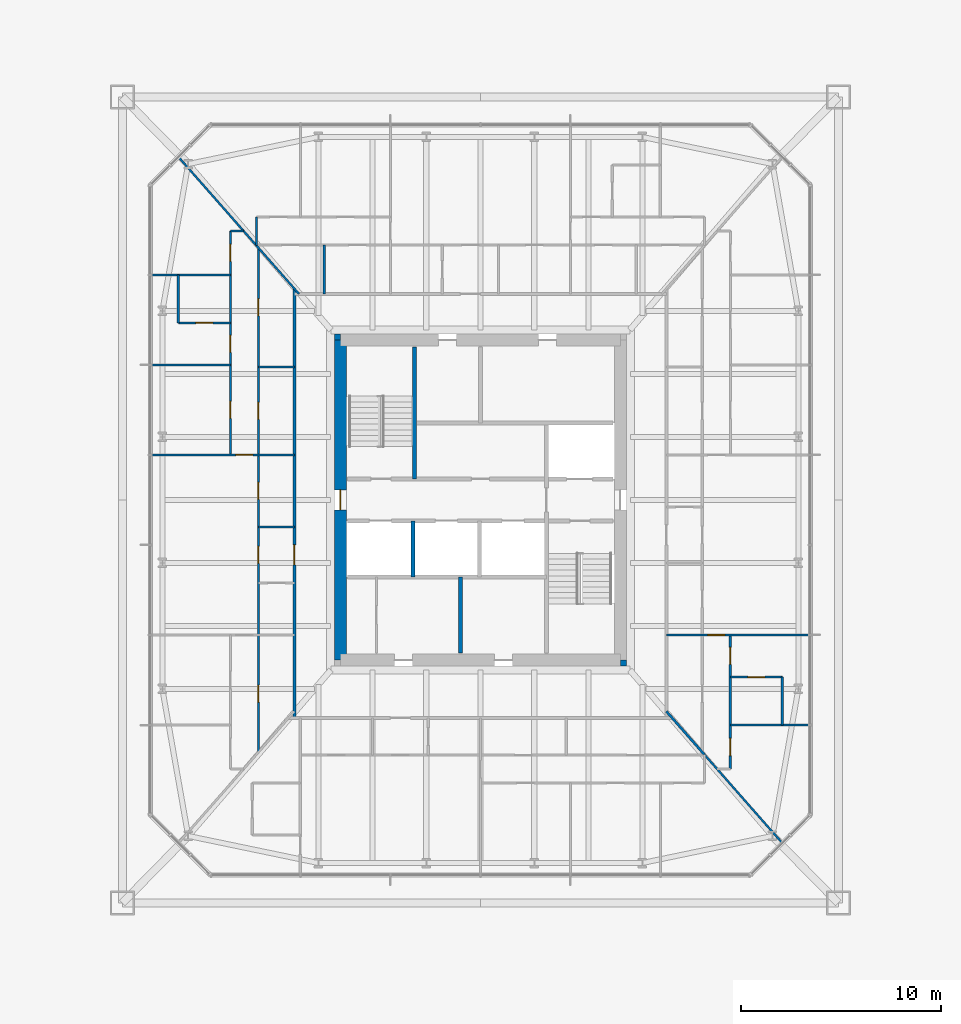
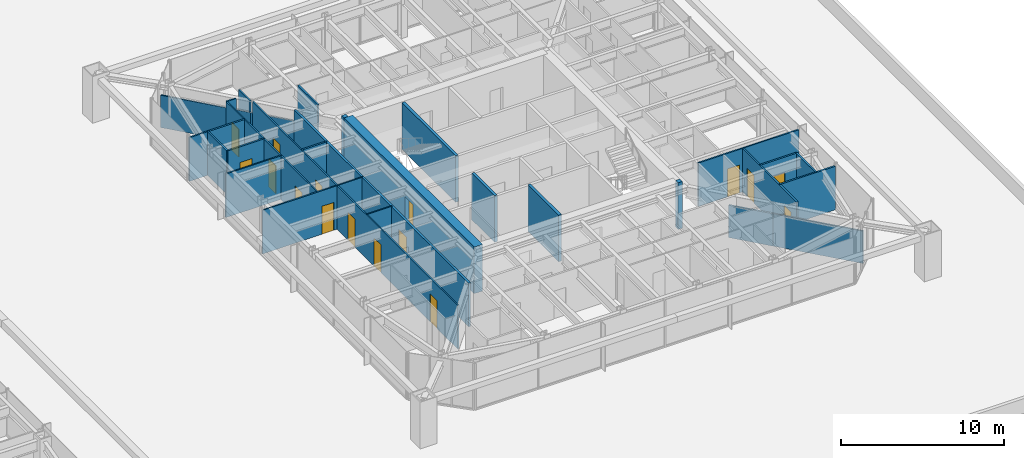
# One storey, part 23 of 31: 28 walls, 16 doors, 16 openings.
"""IFC4 building model written with IfcOpenShell, lengths in metres."""

from ifc_helpers import new_model, si_unit, direction, frame, frame_2d, origin, place, context, subcontext, project, spatial, rectangle, extrude, material, layer, layer_set, type_object, element, fill, save


model = new_model("IFC4")

# Units and contexts
model_context = context("Model", 3, precision=1e-05, world=origin(), true_north=direction((0.0, 1.0)))
body_context = subcontext(model_context, "Body", "Model", "MODEL_VIEW")
ifc_project = project(units=[si_unit("LENGTHUNIT", "METRE"), si_unit("AREAUNIT", "SQUARE_METRE"), si_unit("VOLUMEUNIT", "CUBIC_METRE"), si_unit("PLANEANGLEUNIT", "RADIAN"), si_unit("MASSUNIT", "GRAM", prefix="KILO")], contexts=[model_context])

# Site, building, storey
site_placement = place(None, origin())
site = spatial("IfcSite", under=ifc_project, at=site_placement, CompositionType="ELEMENT")
building_placement = place(site_placement, origin())
building = spatial("IfcBuilding", under=site, at=building_placement, Name="Iwan Alto Co-Living Towers", CompositionType="ELEMENT")
storey_placement = place(building_placement, frame((0.0, 0.0, 15.0)))
storey = spatial("IfcBuildingStorey", under=building, at=storey_placement, Name="L03", CompositionType="ELEMENT", Elevation=15.0)

# Wall, opening, door
ifc_material_1 = material(Name="Gypsum board")
ifc_layer_1 = layer(ifc_material_1, 0.02490234375, Name="Board", Category="Finish")
ifc_material_2 = material(Name="Steel ASTM A1003 ST33H cold-formed studs", Category="steel")
ifc_layer_2 = layer(ifc_material_2, 0.10009765625, Name="Studs", Category="Framing")
ifc_layer_3 = layer(ifc_material_1, 0.02490234375, Name="Board", Category="Finish")
ifc_layer_set_1 = layer_set([ifc_layer_1, ifc_layer_2, ifc_layer_3], Name="CORRIDOR WALL 150")
wall_type_1 = type_object("IfcWallType", Name="CORRIDOR WALL 150", PredefinedType="PARTITIONING", material=ifc_layer_set_1)
wall_1_placement = place(storey_placement, frame((53.699951171875, -10.89990234375, 0.0), z_axis=(0.0, 0.0, 1.0), x_axis=(0.0, 1.0, 0.0)))
wall_1 = element("IfcWall", 1, at=wall_1_placement, inside=storey, type_object=wall_type_1, Name="Partition L03", PredefinedType="PARTITIONING", context=body_context, shape_type="SweptSolid", body=[
    extrude(rectangle(XDim=21.468017578125, YDim=0.14990234375, at=frame_2d((10.73388671875, 0.0))), origin(), (0.0, 0.0, 1.0), 3.27001953125),
])
opening_1_placement = place(wall_1_placement, frame((7.64990234375, 0.0, 0.0)))
opening_1 = element("IfcOpeningElement", 2, at=opening_1_placement, cuts=wall_1, Name="Opening D3", PredefinedType="OPENING", context=body_context, shape_type="SweptSolid", body=[
    extrude(rectangle(XDim=1.0, YDim=2.10009765625, at=frame_2d((0.5, 1.050048828125))), frame((0.0, 0.0849609375, 0.0), z_axis=(0.0, -1.0, 0.0), x_axis=(1.0, 0.0, 0.0)), (0.0, 0.0, 1.0), 0.169921875),
])
ifc_material_3 = material(Name="Steel frame with timber leaf", Category="steel")
door_type_1 = type_object("IfcDoorType", Name="FLAT ENTRANCE DOOR FD30S 1000X2100", OperationType="SINGLE_SWING_LEFT", PredefinedType="DOOR", material=ifc_material_3)
door_1_placement = place(opening_1_placement, origin())
door_1 = element("IfcDoor", 3, at=door_1_placement, inside=storey, type_object=door_type_1, Name="Apartment foyer door L03", OperationType="SINGLE_SWING_LEFT", OverallHeight=2.10009765625, OverallWidth=1.0, PredefinedType="DOOR", context=body_context, shape_type="SweptSolid", body=[
    extrude(rectangle(XDim=1.0, YDim=2.10009765625, at=frame_2d((0.5, 1.050048828125))), frame((0.0, 0.02490234375, 0.0), z_axis=(0.0, -1.0, 0.0), x_axis=(1.0, 0.0, 0.0)), (0.0, 0.0, 1.0), 0.050048828125),
])
fill(opening_1, door_1)

ifc_layer_4 = layer(ifc_material_1, 0.012451171875, Name="Board", Category="Finish")
ifc_layer_5 = layer(ifc_material_2, 0.074951171875, Name="Studs", Category="Framing")
ifc_layer_6 = layer(ifc_material_1, 0.012451171875, Name="Board", Category="Finish")
ifc_layer_set_2 = layer_set([ifc_layer_4, ifc_layer_5, ifc_layer_6], Name="PARTITION 100")
wall_type_2 = type_object("IfcWallType", Name="PARTITION 100", PredefinedType="PARTITIONING", material=ifc_layer_set_2)
wall_2_placement = place(storey_placement, frame((72.300048828125, -6.75, 0.0), z_axis=(0.0, 0.0, 1.0), x_axis=(1.0, 0.0, 0.0)))
wall_2 = element("IfcWall", 4, at=wall_2_placement, inside=storey, type_object=wall_type_2, Name="Partition L03", PredefinedType="PARTITIONING", context=body_context, shape_type="SweptSolid", body=[
    extrude(rectangle(XDim=7.139892578125, YDim=0.10009765625, at=frame_2d((3.56982421875, 0.0))), origin(), (0.0, 0.0, 1.0), 3.27001953125),
])
opening_2_placement = place(wall_2_placement, frame((2.074951171875, 0.0, 0.0)))
opening_2 = element("IfcOpeningElement", 5, at=opening_2_placement, cuts=wall_2, Name="Opening D2", PredefinedType="OPENING", context=body_context, shape_type="SweptSolid", body=[
    extrude(rectangle(XDim=0.85009765625, YDim=2.10009765625, at=frame_2d((0.425048828125, 1.050048828125))), frame((0.0, 0.06005859375, 0.0), z_axis=(0.0, -1.0, 0.0), x_axis=(1.0, 0.0, 0.0)), (0.0, 0.0, 1.0), 0.1201171875),
])
ifc_material_4 = material(Name="Timber leaf in steel frame", Category="steel")
door_type_2 = type_object("IfcDoorType", Name="ROOM DOOR 850X2100", OperationType="SINGLE_SWING_LEFT", PredefinedType="DOOR", material=ifc_material_4)
door_2_placement = place(opening_2_placement, origin())
door_2 = element("IfcDoor", 6, at=door_2_placement, inside=storey, type_object=door_type_2, Name="Apartment hall door L03", OperationType="SINGLE_SWING_LEFT", OverallHeight=2.10009765625, OverallWidth=0.85009765625, PredefinedType="DOOR", context=body_context, shape_type="SweptSolid", body=[
    extrude(rectangle(XDim=0.85009765625, YDim=2.10009765625, at=frame_2d((0.425048828125, 1.050048828125))), frame((0.0, 0.02490234375, 0.0), z_axis=(0.0, -1.0, 0.0), x_axis=(1.0, 0.0, 0.0)), (0.0, 0.0, 1.0), 0.050048828125),
])
fill(opening_2, door_2)

# Wall
wall_3_placement = place(storey_placement, frame((51.89990234375, -1.35009765625, 0.0), z_axis=(0.0, 0.0, 1.0), x_axis=(1.0, 0.0, 0.0)))
element("IfcWall", 7, at=wall_3_placement, inside=storey, type_object=wall_type_2, Name="Partition L03", PredefinedType="PARTITIONING", context=body_context, shape_type="SweptSolid", body=[
    extrude(rectangle(XDim=1.800048828125, YDim=0.10009765625, at=frame_2d((0.89990234375, 0.0))), origin(), (0.0, 0.0, 1.0), 3.27001953125),
])

# Wall, opening, door
wall_4_placement = place(storey_placement, frame((46.56005859375, 2.25, 0.0), z_axis=(0.0, 0.0, 1.0), x_axis=(1.0, 0.0, 0.0)))
wall_4 = element("IfcWall", 8, at=wall_4_placement, inside=storey, type_object=wall_type_2, Name="Partition L03", PredefinedType="PARTITIONING", context=body_context, shape_type="SweptSolid", body=[
    extrude(rectangle(XDim=7.139892578125, YDim=0.10009765625, at=frame_2d((3.56982421875, 0.0))), origin(), (0.0, 0.0, 1.0), 3.27001953125),
])
opening_3_placement = place(wall_4_placement, frame((4.215087890625, 0.0, 0.0)))
opening_3 = element("IfcOpeningElement", 9, at=opening_3_placement, cuts=wall_4, Name="Opening D2", PredefinedType="OPENING", context=body_context, shape_type="SweptSolid", body=[
    extrude(rectangle(XDim=0.85009765625, YDim=2.10009765625, at=frame_2d((0.425048828125, 1.050048828125))), frame((0.0, 0.06005859375, 0.0), z_axis=(0.0, -1.0, 0.0), x_axis=(1.0, 0.0, 0.0)), (0.0, 0.0, 1.0), 0.1201171875),
])
door_3_placement = place(opening_3_placement, frame((0.85009765625, 0.0, 0.0), z_axis=(0.0, 0.0, 1.0), x_axis=(-1.0, 0.0, 0.0)))
door_3 = element("IfcDoor", 10, at=door_3_placement, inside=storey, type_object=door_type_2, Name="Apartment hall door L03", OperationType="SINGLE_SWING_LEFT", OverallHeight=2.10009765625, OverallWidth=0.85009765625, PredefinedType="DOOR", context=body_context, shape_type="SweptSolid", body=[
    extrude(rectangle(XDim=0.85009765625, YDim=2.10009765625, at=frame_2d((0.425048828125, 1.050048828125))), frame((0.0, 0.02490234375, 0.0), z_axis=(0.0, -1.0, 0.0), x_axis=(1.0, 0.0, 0.0)), (0.0, 0.0, 1.0), 0.050048828125),
])
fill(opening_3, door_3)

# Walls
wall_5_placement = place(storey_placement, frame((46.56005859375, 6.75, 0.0), z_axis=(0.0, 0.0, 1.0), x_axis=(1.0, 0.0, 0.0)))
element("IfcWall", 11, at=wall_5_placement, inside=storey, type_object=wall_type_2, Name="Partition L03", PredefinedType="PARTITIONING", context=body_context, shape_type="SweptSolid", body=[
    extrude(rectangle(XDim=3.93994140625, YDim=0.10009765625, at=frame_2d((1.969970703125, 0.0))), origin(), (0.0, 0.0, 1.0), 3.27001953125),
])
wall_6_placement = place(storey_placement, frame((50.5, 13.449951171875, 0.0), z_axis=(0.0, 0.0, 1.0), x_axis=(1.0, 0.0, 0.0)))
element("IfcWall", 12, at=wall_6_placement, inside=storey, type_object=wall_type_2, Name="Partition L03", PredefinedType="PARTITIONING", context=body_context, shape_type="SweptSolid", body=[
    extrude(rectangle(XDim=0.6640625, YDim=0.10009765625, at=frame_2d((0.33203125, 0.0))), origin(), (0.0, 0.0, 1.0), 3.27001953125),
])

# Wall, openings, doors
wall_7_placement = place(storey_placement, frame((51.89990234375, -12.614013671875, 0.0), z_axis=(0.0, 0.0, 1.0), x_axis=(0.0, 1.0, 0.0)))
wall_7 = element("IfcWall", 13, at=wall_7_placement, inside=storey, type_object=wall_type_2, Name="Partition L03", PredefinedType="PARTITIONING", context=body_context, shape_type="SweptSolid", body=[
    extrude(rectangle(XDim=25.22802734375, YDim=0.10009765625, at=frame_2d((12.614013671875, 0.0))), origin(), (0.0, 0.0, 1.0), 3.27001953125),
])
opening_4_placement = place(wall_7_placement, frame((12.638916015625, 0.0, 0.0)))
opening_4 = element("IfcOpeningElement", 14, at=opening_4_placement, cuts=wall_7, Name="Opening D2", PredefinedType="OPENING", context=body_context, shape_type="SweptSolid", body=[
    extrude(rectangle(XDim=0.85009765625, YDim=2.10009765625, at=frame_2d((0.425048828125, 1.050048828125))), frame((0.0, 0.06005859375, 0.0), z_axis=(0.0, -1.0, 0.0), x_axis=(1.0, 0.0, 0.0)), (0.0, 0.0, 1.0), 0.1201171875),
])
opening_5_placement = place(wall_7_placement, frame((9.43896484375, 0.0, 0.0)))
opening_5 = element("IfcOpeningElement", 15, at=opening_5_placement, cuts=wall_7, Name="Opening D2", PredefinedType="OPENING", context=body_context, shape_type="SweptSolid", body=[
    extrude(rectangle(XDim=0.85009765625, YDim=2.10009765625, at=frame_2d((0.425048828125, 1.050048828125))), frame((0.0, 0.06005859375, 0.0), z_axis=(0.0, -1.0, 0.0), x_axis=(1.0, 0.0, 0.0)), (0.0, 0.0, 1.0), 0.1201171875),
])
opening_6_placement = place(wall_7_placement, frame((16.638916015625, 0.0, 0.0)))
opening_6 = element("IfcOpeningElement", 16, at=opening_6_placement, cuts=wall_7, Name="Opening D2", PredefinedType="OPENING", context=body_context, shape_type="SweptSolid", body=[
    extrude(rectangle(XDim=0.85009765625, YDim=2.10009765625, at=frame_2d((0.425048828125, 1.050048828125))), frame((0.0, 0.06005859375, 0.0), z_axis=(0.0, -1.0, 0.0), x_axis=(1.0, 0.0, 0.0)), (0.0, 0.0, 1.0), 0.1201171875),
])
opening_7_placement = place(wall_7_placement, frame((21.821044921875, 0.0, 0.0)))
opening_7 = element("IfcOpeningElement", 17, at=opening_7_placement, cuts=wall_7, Name="Opening D2", PredefinedType="OPENING", context=body_context, shape_type="SweptSolid", body=[
    extrude(rectangle(XDim=0.85009765625, YDim=2.10009765625, at=frame_2d((0.425048828125, 1.050048828125))), frame((0.0, 0.06005859375, 0.0), z_axis=(0.0, -1.0, 0.0), x_axis=(1.0, 0.0, 0.0)), (0.0, 0.0, 1.0), 0.1201171875),
])
opening_8_placement = place(wall_7_placement, frame((2.507080078125, 0.0, 0.0)))
opening_8 = element("IfcOpeningElement", 18, at=opening_8_placement, cuts=wall_7, Name="Opening D2", PredefinedType="OPENING", context=body_context, shape_type="SweptSolid", body=[
    extrude(rectangle(XDim=0.85009765625, YDim=2.10009765625, at=frame_2d((0.425048828125, 1.050048828125))), frame((0.0, 0.06005859375, 0.0), z_axis=(0.0, -1.0, 0.0), x_axis=(1.0, 0.0, 0.0)), (0.0, 0.0, 1.0), 0.1201171875),
])
door_4_placement = place(opening_4_placement, origin())
door_4 = element("IfcDoor", 19, at=door_4_placement, inside=storey, type_object=door_type_2, Name="Kitchen door L03", OperationType="SINGLE_SWING_RIGHT", OverallHeight=2.10009765625, OverallWidth=0.85009765625, PredefinedType="DOOR", context=body_context, shape_type="SweptSolid", body=[
    extrude(rectangle(XDim=0.85009765625, YDim=2.10009765625, at=frame_2d((0.425048828125, 1.050048828125))), frame((0.0, 0.02490234375, 0.0), z_axis=(0.0, -1.0, 0.0), x_axis=(1.0, 0.0, 0.0)), (0.0, 0.0, 1.0), 0.050048828125),
])
fill(opening_4, door_4)
door_5_placement = place(opening_5_placement, origin())
door_5 = element("IfcDoor", 20, at=door_5_placement, inside=storey, type_object=door_type_2, Name="Apartment foyer door L03", OperationType="SINGLE_SWING_LEFT", OverallHeight=2.10009765625, OverallWidth=0.85009765625, PredefinedType="DOOR", context=body_context, shape_type="SweptSolid", body=[
    extrude(rectangle(XDim=0.85009765625, YDim=2.10009765625, at=frame_2d((0.425048828125, 1.050048828125))), frame((0.0, 0.02490234375, 0.0), z_axis=(0.0, -1.0, 0.0), x_axis=(1.0, 0.0, 0.0)), (0.0, 0.0, 1.0), 0.050048828125),
])
fill(opening_5, door_5)
door_6_placement = place(opening_6_placement, frame((0.85009765625, 0.0, 0.0), z_axis=(0.0, 0.0, 1.0), x_axis=(-1.0, 0.0, 0.0)))
door_6 = element("IfcDoor", 21, at=door_6_placement, inside=storey, type_object=door_type_2, Name="Utility room door L03", OperationType="SINGLE_SWING_RIGHT", OverallHeight=2.10009765625, OverallWidth=0.85009765625, PredefinedType="DOOR", context=body_context, shape_type="SweptSolid", body=[
    extrude(rectangle(XDim=0.85009765625, YDim=2.10009765625, at=frame_2d((0.425048828125, 1.050048828125))), frame((0.0, 0.02490234375, 0.0), z_axis=(0.0, -1.0, 0.0), x_axis=(1.0, 0.0, 0.0)), (0.0, 0.0, 1.0), 0.050048828125),
])
fill(opening_6, door_6)
door_7_placement = place(opening_7_placement, frame((0.85009765625, 0.0, 0.0), z_axis=(0.0, 0.0, 1.0), x_axis=(-1.0, 0.0, 0.0)))
door_7 = element("IfcDoor", 22, at=door_7_placement, inside=storey, type_object=door_type_2, Name="Store room door L03", OperationType="SINGLE_SWING_LEFT", OverallHeight=2.10009765625, OverallWidth=0.85009765625, PredefinedType="DOOR", context=body_context, shape_type="SweptSolid", body=[
    extrude(rectangle(XDim=0.85009765625, YDim=2.10009765625, at=frame_2d((0.425048828125, 1.050048828125))), frame((0.0, 0.02490234375, 0.0), z_axis=(0.0, -1.0, 0.0), x_axis=(1.0, 0.0, 0.0)), (0.0, 0.0, 1.0), 0.050048828125),
])
fill(opening_7, door_7)
door_8_placement = place(opening_8_placement, frame((0.85009765625, 0.0, 0.0), z_axis=(0.0, 0.0, 1.0), x_axis=(-1.0, 0.0, 0.0)))
door_8 = element("IfcDoor", 23, at=door_8_placement, inside=storey, type_object=door_type_2, Name="Utility room door L03", OperationType="SINGLE_SWING_RIGHT", OverallHeight=2.10009765625, OverallWidth=0.85009765625, PredefinedType="DOOR", context=body_context, shape_type="SweptSolid", body=[
    extrude(rectangle(XDim=0.85009765625, YDim=2.10009765625, at=frame_2d((0.425048828125, 1.050048828125))), frame((0.0, 0.02490234375, 0.0), z_axis=(0.0, -1.0, 0.0), x_axis=(1.0, 0.0, 0.0)), (0.0, 0.0, 1.0), 0.050048828125),
])
fill(opening_8, door_8)

# Wall
wall_8_placement = place(storey_placement, frame((51.800048828125, 12.72705078125, 0.0), z_axis=(0.0, 0.0, 1.0), x_axis=(0.0, 1.0, 0.0)))
element("IfcWall", 24, at=wall_8_placement, inside=storey, type_object=wall_type_2, Name="Partition L03", PredefinedType="PARTITIONING", context=body_context, shape_type="SweptSolid", body=[
    extrude(rectangle(XDim=1.4228515625, YDim=0.10009765625, at=frame_2d((0.71142578125, 0.0))), origin(), (0.0, 0.0, 1.0), 3.27001953125),
])

# Wall, openings, doors
wall_9_placement = place(storey_placement, frame((50.5, 2.25, 0.0), z_axis=(0.0, 0.0, 1.0), x_axis=(0.0, 1.0, 0.0)))
wall_9 = element("IfcWall", 25, at=wall_9_placement, inside=storey, type_object=wall_type_2, Name="Partition L03", PredefinedType="PARTITIONING", context=body_context, shape_type="SweptSolid", body=[
    extrude(rectangle(XDim=11.199951171875, YDim=0.10009765625, at=frame_2d((5.60009765625, 0.0))), origin(), (0.0, 0.0, 1.0), 3.27001953125),
])
opening_9_placement = place(wall_9_placement, frame((1.824951171875, 0.0, 0.0)))
opening_9 = element("IfcOpeningElement", 26, at=opening_9_placement, cuts=wall_9, Name="Opening D2", PredefinedType="OPENING", context=body_context, shape_type="SweptSolid", body=[
    extrude(rectangle(XDim=0.85009765625, YDim=2.10009765625, at=frame_2d((0.425048828125, 1.050048828125))), frame((0.0, 0.06005859375, 0.0), z_axis=(0.0, -1.0, 0.0), x_axis=(1.0, 0.0, 0.0)), (0.0, 0.0, 1.0), 0.1201171875),
])
opening_10_placement = place(wall_9_placement, frame((5.125, 0.0, 0.0)))
opening_10 = element("IfcOpeningElement", 27, at=opening_10_placement, cuts=wall_9, Name="Opening D2", PredefinedType="OPENING", context=body_context, shape_type="SweptSolid", body=[
    extrude(rectangle(XDim=0.85009765625, YDim=2.10009765625, at=frame_2d((0.425048828125, 1.050048828125))), frame((0.0, 0.06005859375, 0.0), z_axis=(0.0, -1.0, 0.0), x_axis=(1.0, 0.0, 0.0)), (0.0, 0.0, 1.0), 0.1201171875),
])
opening_11_placement = place(wall_9_placement, frame((9.675048828125, 0.0, 0.0)))
opening_11 = element("IfcOpeningElement", 28, at=opening_11_placement, cuts=wall_9, Name="Opening D2", PredefinedType="OPENING", context=body_context, shape_type="SweptSolid", body=[
    extrude(rectangle(XDim=0.85009765625, YDim=2.10009765625, at=frame_2d((0.425048828125, 1.050048828125))), frame((0.0, 0.06005859375, 0.0), z_axis=(0.0, -1.0, 0.0), x_axis=(1.0, 0.0, 0.0)), (0.0, 0.0, 1.0), 0.1201171875),
])
door_9_placement = place(opening_9_placement, origin())
door_9 = element("IfcDoor", 29, at=door_9_placement, inside=storey, type_object=door_type_2, Name="Study door L03", OperationType="SINGLE_SWING_LEFT", OverallHeight=2.10009765625, OverallWidth=0.85009765625, PredefinedType="DOOR", context=body_context, shape_type="SweptSolid", body=[
    extrude(rectangle(XDim=0.85009765625, YDim=2.10009765625, at=frame_2d((0.425048828125, 1.050048828125))), frame((0.0, 0.02490234375, 0.0), z_axis=(0.0, -1.0, 0.0), x_axis=(1.0, 0.0, 0.0)), (0.0, 0.0, 1.0), 0.050048828125),
])
fill(opening_9, door_9)
door_10_placement = place(opening_10_placement, origin())
door_10 = element("IfcDoor", 30, at=door_10_placement, inside=storey, type_object=door_type_2, Name="Bedroom door L03", OperationType="SINGLE_SWING_LEFT", OverallHeight=2.10009765625, OverallWidth=0.85009765625, PredefinedType="DOOR", context=body_context, shape_type="SweptSolid", body=[
    extrude(rectangle(XDim=0.85009765625, YDim=2.10009765625, at=frame_2d((0.425048828125, 1.050048828125))), frame((0.0, 0.02490234375, 0.0), z_axis=(0.0, -1.0, 0.0), x_axis=(1.0, 0.0, 0.0)), (0.0, 0.0, 1.0), 0.050048828125),
])
fill(opening_10, door_10)
door_11_placement = place(opening_11_placement, origin())
door_11 = element("IfcDoor", 31, at=door_11_placement, inside=storey, type_object=door_type_2, Name="Bedroom door L03", OperationType="SINGLE_SWING_LEFT", OverallHeight=2.10009765625, OverallWidth=0.85009765625, PredefinedType="DOOR", context=body_context, shape_type="SweptSolid", body=[
    extrude(rectangle(XDim=0.85009765625, YDim=2.10009765625, at=frame_2d((0.425048828125, 1.050048828125))), frame((0.0, 0.02490234375, 0.0), z_axis=(0.0, -1.0, 0.0), x_axis=(1.0, 0.0, 0.0)), (0.0, 0.0, 1.0), 0.050048828125),
])
fill(opening_11, door_11)

# Walls
wall_10_placement = place(storey_placement, frame((53.93603515625, 10.300048828125, 0.0), z_axis=(0.0, 0.0, 1.0), x_axis=(-0.660667046586, 0.75067906162, 0.0)))
element("IfcWall", 32, at=wall_10_placement, inside=storey, type_object=wall_type_2, Name="Partition L03", PredefinedType="PARTITIONING", context=body_context, shape_type="SweptSolid", body=[
    extrude(rectangle(XDim=3.233154296875, YDim=0.10009765625, at=frame_2d((1.61669921875, 0.0))), origin(), (0.0, 0.0, 1.0), 2.42919921875),
])
wall_11_placement = place(storey_placement, frame((51.800048828125, 12.72705078125, 0.0), z_axis=(0.0, 0.0, 1.0), x_axis=(-0.660690123093, 0.750658751529, 0.0)))
element("IfcWall", 33, at=wall_11_placement, inside=storey, type_object=wall_type_2, Name="Partition L03", PredefinedType="PARTITIONING", context=body_context, shape_type="SweptSolid", body=[
    extrude(rectangle(XDim=5.8369140625, YDim=0.10009765625, at=frame_2d((2.91845703125, 0.0))), origin(), (0.0, 0.0, 1.0), 2.42919921875),
])
wall_12_placement = place(storey_placement, frame((78.056640625, -17.109375, 0.0), z_axis=(0.0, 0.0, 1.0), x_axis=(-0.660654290516, 0.750690287951, 0.0)))
element("IfcWall", 34, at=wall_12_placement, inside=storey, type_object=wall_type_2, Name="Partition L03", PredefinedType="PARTITIONING", context=body_context, shape_type="SweptSolid", body=[
    extrude(rectangle(XDim=5.838134765625, YDim=0.10009765625, at=frame_2d((2.9189453125, 0.0))), origin(), (0.0, 0.0, 1.0), 2.42919921875),
])
ifc_material_5 = material(Name="Concrete f'c 70 MPa", Category="concrete")
ifc_layer_7 = layer(ifc_material_5, 0.199951171875)
ifc_layer_set_3 = layer_set([ifc_layer_7], Name="SHAFT WALL 200")
wall_type_3 = type_object("IfcWallType", Name="SHAFT WALL 200", PredefinedType="SOLIDWALL", material=ifc_layer_set_3)
wall_13_placement = place(storey_placement, frame((62.0, -7.639892578125, 0.0), z_axis=(0.0, 0.0, 1.0), x_axis=(0.0, 1.0, 0.0)))
element("IfcWall", 35, at=wall_13_placement, inside=storey, type_object=wall_type_3, Name="Shaft wall L03", PredefinedType="SOLIDWALL", context=body_context, shape_type="SweptSolid", body=[
    extrude(rectangle(XDim=3.789794921875, YDim=0.199951171875, at=frame_2d((1.89501953125, 0.0))), origin(), (0.0, 0.0, 1.0), 3.5),
])
wall_14_placement = place(storey_placement, frame((59.699951171875, 1.050048828125, 0.0), z_axis=(0.0, 0.0, 1.0), x_axis=(0.0, 1.0, 0.0)))
element("IfcWall", 36, at=wall_14_placement, inside=storey, type_object=wall_type_3, Name="Shaft wall L03", PredefinedType="SOLIDWALL", context=body_context, shape_type="SweptSolid", body=[
    extrude(rectangle(XDim=6.58984375, YDim=0.199951171875, at=frame_2d((3.294921875, 0.0))), origin(), (0.0, 0.0, 1.0), 3.5),
])
wall_15_placement = place(storey_placement, frame((59.633056640625, -3.85009765625, 0.0), z_axis=(0.0, 0.0, 1.0), x_axis=(0.0, 1.0, 0.0)))
element("IfcWall", 37, at=wall_15_placement, inside=storey, type_object=wall_type_3, Name="Shaft wall L03", PredefinedType="SOLIDWALL", context=body_context, shape_type="SweptSolid", body=[
    extrude(rectangle(XDim=2.800048828125, YDim=0.199951171875, at=frame_2d((1.39990234375, 0.0))), origin(), (0.0, 0.0, 1.0), 3.5),
])
ifc_material_6 = material(Name="Concrete f'c 70 MPa", Category="concrete")
ifc_layer_8 = layer(ifc_material_6, 0.300048828125)
ifc_layer_set_4 = layer_set([ifc_layer_8], Name="T2 CORE CORNER FILL 300")
wall_type_4 = type_object("IfcWallType", Name="T2 CORE CORNER FILL 300", PredefinedType="SOLIDWALL", material=ifc_layer_set_4)
for number, where, z_axis, x_axis, name in (
    (38, (70.0, -8.14990234375, 0.0), (0.0, 0.0, 1.0), (1.0, 0.0, 0.0), "T2 core corner SE L03"),
    (39, (55.699951171875, 8.14990234375, 0.0), (0.0, 0.0, 1.0), (1.0, 0.0, 0.0), "T2 core corner NW L03"),
):
    element("IfcWall", number, at=place(storey_placement, frame(where, z_axis=z_axis, x_axis=x_axis)), inside=storey, type_object=wall_type_4, Name=name, PredefinedType="SOLIDWALL", context=body_context, shape_type="SweptSolid", body=[
        extrude(rectangle(XDim=0.300048828125, YDim=0.300048828125, at=frame_2d((0.14990234375, 0.0))), origin(), (0.0, 0.0, 1.0), 3.5),
    ])

# Wall, opening, door
ifc_material_7 = material(Name="Concrete f'c 70 MPa", Category="concrete")
ifc_layer_9 = layer(ifc_material_7, 0.60009765625)
ifc_layer_set_5 = layer_set([ifc_layer_9], Name="T2 CORE WALL 600")
wall_type_5 = type_object("IfcWallType", Name="T2 CORE WALL 600", PredefinedType="SHEAR", material=ifc_layer_set_5)
wall_16_placement = place(storey_placement, frame((56.0, 8.0, 0.0), z_axis=(0.0, 0.0, 1.0), x_axis=(0.0, -1.0, 0.0)))
wall_16 = element("IfcWall", 40, at=wall_16_placement, inside=storey, type_object=wall_type_5, Name="T2 core wall W L03", PredefinedType="SHEAR", context=body_context, shape_type="SweptSolid", body=[
    extrude(rectangle(XDim=16.0, YDim=0.60009765625, at=frame_2d((8.0, 0.0))), origin(), (0.0, 0.0, 1.0), 3.5),
])
opening_12_placement = place(wall_16_placement, frame((7.5, 0.0, 0.0)))
opening_12 = element("IfcOpeningElement", 41, at=opening_12_placement, cuts=wall_16, Name="Opening D7", PredefinedType="OPENING", context=body_context, shape_type="SweptSolid", body=[
    extrude(rectangle(XDim=1.0, YDim=2.10009765625, at=frame_2d((0.5, 1.050048828125))), frame((0.0, 0.31005859375, 0.0), z_axis=(0.0, -1.0, 0.0), x_axis=(1.0, 0.0, 0.0)), (0.0, 0.0, 1.0), 0.6201171875),
])
ifc_material_8 = material(Name="Steel frame with timber leaf", Category="steel")
door_type_3 = type_object("IfcDoorType", Name="CORE DOOR FD120S 1000X2100", OperationType="SINGLE_SWING_LEFT", PredefinedType="DOOR", material=ifc_material_8)
door_12_placement = place(opening_12_placement, origin())
door_12 = element("IfcDoor", 42, at=door_12_placement, inside=storey, type_object=door_type_3, Name="Lift lobby core door L03", OperationType="SINGLE_SWING_RIGHT", OverallHeight=2.10009765625, OverallWidth=1.0, PredefinedType="DOOR", context=body_context, shape_type="SweptSolid", body=[
    extrude(rectangle(XDim=1.0, YDim=2.10009765625, at=frame_2d((0.5, 1.050048828125))), frame((0.0, 0.02490234375, 0.0), z_axis=(0.0, -1.0, 0.0), x_axis=(1.0, 0.0, 0.0)), (0.0, 0.0, 1.0), 0.050048828125),
])
fill(opening_12, door_12)

# Wall
ifc_material_9 = material(Name="Cement board")
ifc_layer_10 = layer(ifc_material_9, 0.012451171875, Name="Board", Category="Finish")
ifc_layer_11 = layer(ifc_material_2, 0.094970703125, Name="Studs", Category="Framing")
ifc_layer_12 = layer(ifc_material_9, 0.012451171875, Name="Board", Category="Finish")
ifc_layer_set_6 = layer_set([ifc_layer_10, ifc_layer_11, ifc_layer_12], Name="WET AREA PARTITION 120")
wall_type_6 = type_object("IfcWallType", Name="WET AREA PARTITION 120", PredefinedType="PARTITIONING", material=ifc_layer_set_6)
wall_17_placement = place(storey_placement, frame((75.5, -11.25, 0.0), z_axis=(0.0, 0.0, 1.0), x_axis=(1.0, 0.0, 0.0)))
element("IfcWall", 43, at=wall_17_placement, inside=storey, type_object=wall_type_6, Name="Partition L03", PredefinedType="PARTITIONING", context=body_context, shape_type="SweptSolid", body=[
    extrude(rectangle(XDim=3.93994140625, YDim=0.1201171875, at=frame_2d((1.969970703125, 0.0))), origin(), (0.0, 0.0, 1.0), 3.27001953125),
])

# Wall, opening, door
wall_18_placement = place(storey_placement, frame((75.5, -8.85009765625, 0.0), z_axis=(0.0, 0.0, 1.0), x_axis=(1.0, 0.0, 0.0)))
wall_18 = element("IfcWall", 44, at=wall_18_placement, inside=storey, type_object=wall_type_6, Name="Partition L03", PredefinedType="PARTITIONING", context=body_context, shape_type="SweptSolid", body=[
    extrude(rectangle(XDim=2.60009765625, YDim=0.1201171875, at=frame_2d((1.300048828125, 0.0))), origin(), (0.0, 0.0, 1.0), 3.27001953125),
])
opening_13_placement = place(wall_18_placement, frame((0.875, 0.0, 0.0)))
opening_13 = element("IfcOpeningElement", 45, at=opening_13_placement, cuts=wall_18, Name="Opening D2", PredefinedType="OPENING", context=body_context, shape_type="SweptSolid", body=[
    extrude(rectangle(XDim=0.85009765625, YDim=2.10009765625, at=frame_2d((0.425048828125, 1.050048828125))), frame((0.0, 0.070068359375, 0.0), z_axis=(0.0, -1.0, 0.0), x_axis=(1.0, 0.0, 0.0)), (0.0, 0.0, 1.0), 0.14013671875),
])
door_13_placement = place(opening_13_placement, origin())
door_13 = element("IfcDoor", 46, at=door_13_placement, inside=storey, type_object=door_type_2, Name="En-suite shower room door L03", OperationType="SINGLE_SWING_LEFT", OverallHeight=2.10009765625, OverallWidth=0.85009765625, PredefinedType="DOOR", context=body_context, shape_type="SweptSolid", body=[
    extrude(rectangle(XDim=0.85009765625, YDim=2.10009765625, at=frame_2d((0.425048828125, 1.050048828125))), frame((0.0, 0.02490234375, 0.0), z_axis=(0.0, -1.0, 0.0), x_axis=(1.0, 0.0, 0.0)), (0.0, 0.0, 1.0), 0.050048828125),
])
fill(opening_13, door_13)

# Wall
wall_19_placement = place(storey_placement, frame((51.89990234375, 6.64990234375, 0.0), z_axis=(0.0, 0.0, 1.0), x_axis=(1.0, 0.0, 0.0)))
element("IfcWall", 47, at=wall_19_placement, inside=storey, type_object=wall_type_6, Name="Partition L03", PredefinedType="PARTITIONING", context=body_context, shape_type="SweptSolid", body=[
    extrude(rectangle(XDim=1.800048828125, YDim=0.1201171875, at=frame_2d((0.89990234375, 0.0))), origin(), (0.0, 0.0, 1.0), 3.27001953125),
])

# Wall, opening, door
wall_20_placement = place(storey_placement, frame((47.89990234375, 8.85009765625, 0.0), z_axis=(0.0, 0.0, 1.0), x_axis=(1.0, 0.0, 0.0)))
wall_20 = element("IfcWall", 48, at=wall_20_placement, inside=storey, type_object=wall_type_6, Name="Partition L03", PredefinedType="PARTITIONING", context=body_context, shape_type="SweptSolid", body=[
    extrude(rectangle(XDim=2.60009765625, YDim=0.1201171875, at=frame_2d((1.300048828125, 0.0))), origin(), (0.0, 0.0, 1.0), 3.27001953125),
])
opening_14_placement = place(wall_20_placement, frame((0.875, 0.0, 0.0)))
opening_14 = element("IfcOpeningElement", 49, at=opening_14_placement, cuts=wall_20, Name="Opening D2", PredefinedType="OPENING", context=body_context, shape_type="SweptSolid", body=[
    extrude(rectangle(XDim=0.85009765625, YDim=2.10009765625, at=frame_2d((0.425048828125, 1.050048828125))), frame((0.0, 0.070068359375, 0.0), z_axis=(0.0, -1.0, 0.0), x_axis=(1.0, 0.0, 0.0)), (0.0, 0.0, 1.0), 0.14013671875),
])
door_14_placement = place(opening_14_placement, frame((0.85009765625, 0.0, 0.0), z_axis=(0.0, 0.0, 1.0), x_axis=(-1.0, 0.0, 0.0)))
door_14 = element("IfcDoor", 50, at=door_14_placement, inside=storey, type_object=door_type_2, Name="En-suite shower room door L03", OperationType="SINGLE_SWING_LEFT", OverallHeight=2.10009765625, OverallWidth=0.85009765625, PredefinedType="DOOR", context=body_context, shape_type="SweptSolid", body=[
    extrude(rectangle(XDim=0.85009765625, YDim=2.10009765625, at=frame_2d((0.425048828125, 1.050048828125))), frame((0.0, 0.02490234375, 0.0), z_axis=(0.0, -1.0, 0.0), x_axis=(1.0, 0.0, 0.0)), (0.0, 0.0, 1.0), 0.050048828125),
])
fill(opening_14, door_14)

# Walls
wall_21_placement = place(storey_placement, frame((46.56005859375, 11.25, 0.0), z_axis=(0.0, 0.0, 1.0), x_axis=(1.0, 0.0, 0.0)))
element("IfcWall", 51, at=wall_21_placement, inside=storey, type_object=wall_type_6, Name="Partition L03", PredefinedType="PARTITIONING", context=body_context, shape_type="SweptSolid", body=[
    extrude(rectangle(XDim=3.93994140625, YDim=0.1201171875, at=frame_2d((1.969970703125, 0.0))), origin(), (0.0, 0.0, 1.0), 3.27001953125),
])
wall_22_placement = place(storey_placement, frame((78.10009765625, -11.25, 0.0), z_axis=(0.0, 0.0, 1.0), x_axis=(0.0, 1.0, 0.0)))
element("IfcWall", 52, at=wall_22_placement, inside=storey, type_object=wall_type_6, Name="Partition L03", PredefinedType="PARTITIONING", context=body_context, shape_type="SweptSolid", body=[
    extrude(rectangle(XDim=2.39990234375, YDim=0.1201171875, at=frame_2d((1.199951171875, 0.0))), origin(), (0.0, 0.0, 1.0), 3.27001953125),
])

# Wall, openings, doors
wall_23_placement = place(storey_placement, frame((75.5, -13.449951171875, 0.0), z_axis=(0.0, 0.0, 1.0), x_axis=(0.0, 1.0, 0.0)))
wall_23 = element("IfcWall", 53, at=wall_23_placement, inside=storey, type_object=wall_type_6, Name="Partition L03", PredefinedType="PARTITIONING", context=body_context, shape_type="SweptSolid", body=[
    extrude(rectangle(XDim=6.699951171875, YDim=0.1201171875, at=frame_2d((3.35009765625, 0.0))), origin(), (0.0, 0.0, 1.0), 3.27001953125),
])
opening_15_placement = place(wall_23_placement, frame((5.22509765625, 0.0, 0.0)))
opening_15 = element("IfcOpeningElement", 54, at=opening_15_placement, cuts=wall_23, Name="Opening D2", PredefinedType="OPENING", context=body_context, shape_type="SweptSolid", body=[
    extrude(rectangle(XDim=0.85009765625, YDim=2.10009765625, at=frame_2d((0.425048828125, 1.050048828125))), frame((0.0, 0.070068359375, 0.0), z_axis=(0.0, -1.0, 0.0), x_axis=(1.0, 0.0, 0.0)), (0.0, 0.0, 1.0), 0.14013671875),
])
opening_16_placement = place(wall_23_placement, frame((0.675048828125, 0.0, 0.0)))
opening_16 = element("IfcOpeningElement", 55, at=opening_16_placement, cuts=wall_23, Name="Opening D2", PredefinedType="OPENING", context=body_context, shape_type="SweptSolid", body=[
    extrude(rectangle(XDim=0.85009765625, YDim=2.10009765625, at=frame_2d((0.425048828125, 1.050048828125))), frame((0.0, 0.070068359375, 0.0), z_axis=(0.0, -1.0, 0.0), x_axis=(1.0, 0.0, 0.0)), (0.0, 0.0, 1.0), 0.14013671875),
])
door_15_placement = place(opening_15_placement, frame((0.85009765625, 0.0, 0.0), z_axis=(0.0, 0.0, 1.0), x_axis=(-1.0, 0.0, 0.0)))
door_15 = element("IfcDoor", 56, at=door_15_placement, inside=storey, type_object=door_type_2, Name="Bedroom door L03", OperationType="SINGLE_SWING_RIGHT", OverallHeight=2.10009765625, OverallWidth=0.85009765625, PredefinedType="DOOR", context=body_context, shape_type="SweptSolid", body=[
    extrude(rectangle(XDim=0.85009765625, YDim=2.10009765625, at=frame_2d((0.425048828125, 1.050048828125))), frame((0.0, 0.02490234375, 0.0), z_axis=(0.0, -1.0, 0.0), x_axis=(1.0, 0.0, 0.0)), (0.0, 0.0, 1.0), 0.050048828125),
])
fill(opening_15, door_15)
door_16_placement = place(opening_16_placement, frame((0.85009765625, 0.0, 0.0), z_axis=(0.0, 0.0, 1.0), x_axis=(-1.0, 0.0, 0.0)))
door_16 = element("IfcDoor", 57, at=door_16_placement, inside=storey, type_object=door_type_2, Name="Bedroom door L03", OperationType="SINGLE_SWING_LEFT", OverallHeight=2.10009765625, OverallWidth=0.85009765625, PredefinedType="DOOR", context=body_context, shape_type="SweptSolid", body=[
    extrude(rectangle(XDim=0.85009765625, YDim=2.10009765625, at=frame_2d((0.425048828125, 1.050048828125))), frame((0.0, 0.02490234375, 0.0), z_axis=(0.0, -1.0, 0.0), x_axis=(1.0, 0.0, 0.0)), (0.0, 0.0, 1.0), 0.050048828125),
])
fill(opening_16, door_16)

# Walls
wall_24_placement = place(storey_placement, frame((55.199951171875, 10.300048828125, 0.0), z_axis=(0.0, 0.0, 1.0), x_axis=(0.0, 1.0, 0.0)))
element("IfcWall", 58, at=wall_24_placement, inside=storey, type_object=wall_type_6, Name="Partition L03", PredefinedType="PARTITIONING", context=body_context, shape_type="SweptSolid", body=[
    extrude(rectangle(XDim=2.449951171875, YDim=0.1201171875, at=frame_2d((1.22509765625, 0.0))), origin(), (0.0, 0.0, 1.0), 3.27001953125),
])
wall_25_placement = place(storey_placement, frame((47.89990234375, 8.85009765625, 0.0), z_axis=(0.0, 0.0, 1.0), x_axis=(0.0, 1.0, 0.0)))
element("IfcWall", 59, at=wall_25_placement, inside=storey, type_object=wall_type_6, Name="Partition L03", PredefinedType="PARTITIONING", context=body_context, shape_type="SweptSolid", body=[
    extrude(rectangle(XDim=2.39990234375, YDim=0.1201171875, at=frame_2d((1.199951171875, 0.0))), origin(), (0.0, 0.0, 1.0), 3.27001953125),
])
wall_26_placement = place(storey_placement, frame((74.199951171875, -12.72705078125, 0.0), z_axis=(0.0, 0.0, 1.0), x_axis=(-0.66059344937, 0.75074382758, 0.0)))
element("IfcWall", 60, at=wall_26_placement, inside=storey, type_object=wall_type_6, Name="Partition L03", PredefinedType="PARTITIONING", context=body_context, shape_type="SweptSolid", body=[
    extrude(rectangle(XDim=2.8759765625, YDim=0.1201171875, at=frame_2d((1.43798828125, 0.0))), origin(), (0.0, 0.0, 1.0), 2.42919921875),
])

save(model, "model.ifc")
